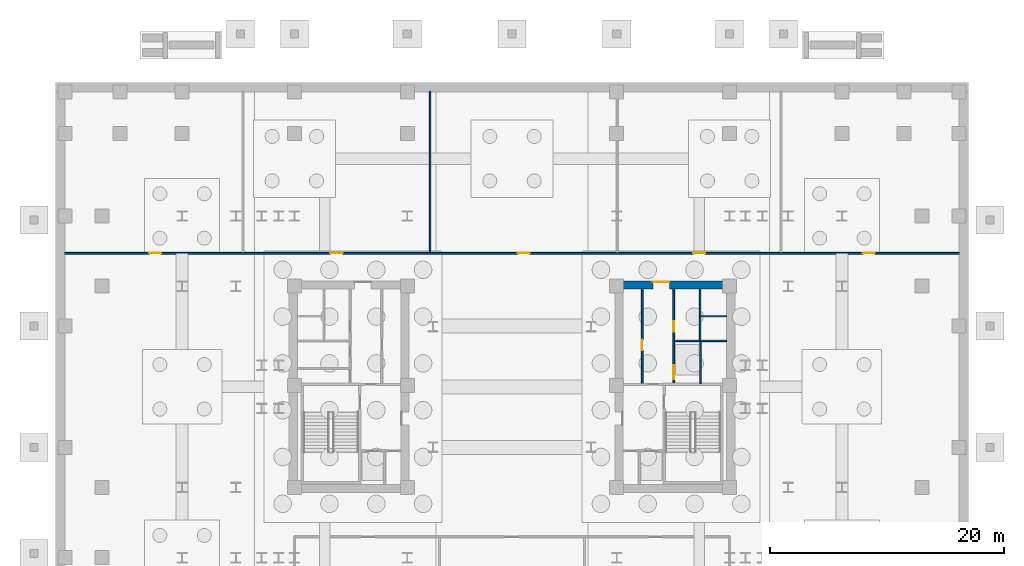
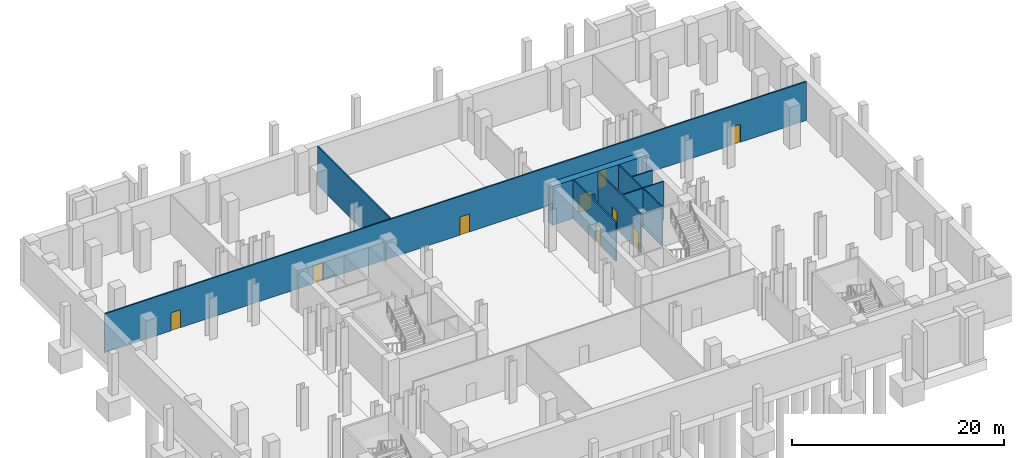
# One storey, part 6 of 10: 9 doors, 9 walls, 9 openings.
"""IFC4 building model written with IfcOpenShell, lengths in metres."""

from ifc_helpers import new_model, si_unit, direction, frame, frame_2d, origin, place, context, subcontext, project, spatial, rectangle, extrude, material, layer, layer_set, type_object, element, fill, save


model = new_model("IFC4")

# Units and contexts
model_context = context("Model", 3, precision=1e-05, world=origin(), true_north=direction((0.0, 1.0)))
body_context = subcontext(model_context, "Body", "Model", "MODEL_VIEW")
ifc_project = project(units=[si_unit("LENGTHUNIT", "METRE"), si_unit("AREAUNIT", "SQUARE_METRE"), si_unit("VOLUMEUNIT", "CUBIC_METRE"), si_unit("PLANEANGLEUNIT", "RADIAN"), si_unit("MASSUNIT", "GRAM", prefix="KILO")], contexts=[model_context])

# Site, building, storey
site_placement = place(None, origin())
site = spatial("IfcSite", under=ifc_project, at=site_placement, CompositionType="ELEMENT")
building_placement = place(site_placement, origin())
building = spatial("IfcBuilding", under=site, at=building_placement, Name="Velakula Bourse", CompositionType="ELEMENT")
storey_placement = place(building_placement, frame((0.0, 0.0, -9.60009765625)))
storey = spatial("IfcBuildingStorey", under=building, at=storey_placement, Name="B02", CompositionType="ELEMENT", Elevation=-9.60009765625)

# Wall, opening, door
ifc_material_1 = material(Name="Concrete M70 (fck 70 MPa)", Category="concrete")
ifc_layer_1 = layer(ifc_material_1, 0.699951171875, Name="Concrete M70 (fck 70 MPa)", Category="concrete")
ifc_layer_set_1 = layer_set([ifc_layer_1], Name="Concrete M70 (fck 70 MPa)")
wall_type_1 = type_object("IfcWallType", Name="WL-CORE-700", PredefinedType="SHEAR", material=ifc_layer_set_1)
wall_1_placement = place(storey_placement, frame((8.800048828125, 8.699951171875, 0.0), z_axis=(0.0, 0.0, 1.0), x_axis=(1.0, 0.0, 0.0)))
wall_1 = element("IfcWall", 1, at=wall_1_placement, inside=storey, type_object=wall_type_1, Name="B02 Core E Shear Wall N", PredefinedType="SHEAR", context=body_context, shape_type="SweptSolid", body=[
    extrude(rectangle(XDim=10.25, YDim=0.699951171875, at=frame_2d((5.125, 0.0))), origin(), (0.0, 0.0, 1.0), 4.5),
])
opening_1_placement = place(wall_1_placement, frame((3.25, 0.0, 0.0)))
opening_1 = element("IfcOpeningElement", 2, at=opening_1_placement, cuts=wall_1, Name="Opening D-LLE", PredefinedType="OPENING", context=body_context, shape_type="SweptSolid", body=[
    extrude(rectangle(XDim=1.39990234375, YDim=2.050048828125, at=frame_2d((0.699951171875, 1.02490234375))), frame((0.0, 0.35986328125, 0.0), z_axis=(0.0, -1.0, 0.0), x_axis=(1.0, 0.0, 0.0)), (0.0, 0.0, 1.0), 0.719970703125),
])
ifc_material_2 = material(Name="Fire-rated hardwood flush architectural door", Category="wood")
door_type_1 = type_object("IfcDoorType", Name="DR-DBL-FD60-1400", OperationType="DOUBLE_DOOR_SINGLE_SWING", PredefinedType="DOOR", material=ifc_material_2)
door_1_placement = place(opening_1_placement, origin())
door_1 = element("IfcDoor", 3, at=door_1_placement, inside=storey, type_object=door_type_1, Name="B02 Core E Lift Lobby Corridor Double Door", OperationType="DOUBLE_DOOR_SINGLE_SWING", OverallHeight=2.050048828125, OverallWidth=1.39990234375, PredefinedType="DOOR", context=body_context, shape_type="SweptSolid", body=[
    extrude(rectangle(XDim=1.39990234375, YDim=2.050048828125, at=frame_2d((0.699951171875, 1.02490234375))), frame((0.0, 0.294921875, 0.0), z_axis=(0.0, -1.0, 0.0), x_axis=(1.0, 0.0, 0.0)), (0.0, 0.0, 1.0), 0.050048828125),
])
fill(opening_1, door_1)

# Walls
ifc_material_3 = material(Name="Fire-rated double-layer gypsum drywall partition", Category="gypsum")
ifc_layer_2 = layer(ifc_material_3, 0.1201171875, Name="Fire-rated double-layer gypsum drywall partition", Category="gypsum")
ifc_layer_set_2 = layer_set([ifc_layer_2], Name="Fire-rated double-layer gypsum drywall partition")
wall_type_2 = type_object("IfcWallType", Name="WL-PART-120", PredefinedType="STANDARD", material=ifc_layer_set_2)
wall_2_placement = place(storey_placement, frame((13.89990234375, 3.919921875, 0.0), z_axis=(0.0, 0.0, 1.0), x_axis=(1.0, 0.0, 0.0)))
element("IfcWall", 4, at=wall_2_placement, inside=storey, type_object=wall_type_2, Name="B02 Interior Partition WL-CRE-B02-HI-S", PredefinedType="STANDARD", context=body_context, shape_type="SweptSolid", body=[
    extrude(rectangle(XDim=4.4501953125, YDim=0.1201171875, at=frame_2d((2.22509765625, 0.0))), origin(), (0.0, 0.0, 1.0), 4.47998046875),
])
wall_3_placement = place(storey_placement, frame((16.14990234375, 6.030029296875, 0.0), z_axis=(0.0, 0.0, 1.0), x_axis=(1.0, 0.0, 0.0)))
element("IfcWall", 5, at=wall_3_placement, inside=storey, type_object=wall_type_2, Name="B02 Interior Partition WL-CRE-B02-RIS-MID", PredefinedType="STANDARD", context=body_context, shape_type="SweptSolid", body=[
    extrude(rectangle(XDim=2.2001953125, YDim=0.1201171875, at=frame_2d((1.10009765625, 0.0))), origin(), (0.0, 0.0, 1.0), 4.47998046875),
])
wall_4_placement = place(storey_placement, frame((16.074951171875, 3.97998046875, 0.0), z_axis=(0.0, 0.0, 1.0), x_axis=(0.0, 1.0, 0.0)))
element("IfcWall", 6, at=wall_4_placement, inside=storey, type_object=wall_type_2, Name="B02 Interior Partition WL-CRE-B02-RIS-F", PredefinedType="STANDARD", context=body_context, shape_type="SweptSolid", body=[
    extrude(rectangle(XDim=4.3701171875, YDim=0.1201171875, at=frame_2d((2.18505859375, 0.0))), origin(), (0.0, 0.0, 1.0), 4.47998046875),
])
wall_5_placement = place(storey_placement, frame((16.125, 0.27001953125, 0.0), z_axis=(0.0, 0.0, 1.0), x_axis=(0.0, 1.0, 0.0)))
element("IfcWall", 7, at=wall_5_placement, inside=storey, type_object=wall_type_2, Name="B02 Interior Partition WL-CRE-B02-SVL-E", PredefinedType="STANDARD", context=body_context, shape_type="SweptSolid", body=[
    extrude(rectangle(XDim=3.590087890625, YDim=0.1201171875, at=frame_2d((1.794921875, 0.0))), origin(), (0.0, 0.0, 1.0), 4.47998046875),
])

# Wall, openings, doors
ifc_layer_3 = layer(ifc_material_3, 0.139892578125, Name="Fire-rated double-layer gypsum drywall partition", Category="gypsum")
ifc_layer_set_3 = layer_set([ifc_layer_3], Name="Fire-rated double-layer gypsum drywall partition")
wall_type_3 = type_object("IfcWallType", Name="WL-PART-140", PredefinedType="STANDARD", material=ifc_layer_set_3)
wall_6_placement = place(storey_placement, frame((-38.239990234375, 11.419921875, 0.0), z_axis=(0.0, 0.0, 1.0), x_axis=(1.0, 0.0, 0.0)))
wall_6 = element("IfcWall", 8, at=wall_6_placement, inside=storey, type_object=wall_type_3, Name="B02 Interior Partition WL-POD-B02-N-CORR", PredefinedType="STANDARD", context=body_context, shape_type="SweptSolid", body=[
    extrude(rectangle(XDim=76.47998046875, YDim=0.14990234375, at=frame_2d((38.239990234375, 0.0))), origin(), (0.0, 0.0, 1.0), 4.47998046875),
])
opening_2_placement = place(wall_6_placement, frame((7.216064453125, 0.0, 0.0)))
opening_2 = element("IfcOpeningElement", 9, at=opening_2_placement, cuts=wall_6, Name="Opening D-PD1", PredefinedType="OPENING", context=body_context, shape_type="SweptSolid", body=[
    extrude(rectangle(XDim=1.050048828125, YDim=2.080078125, at=frame_2d((0.52490234375, 1.0400390625))), frame((0.0, 0.0849609375, 0.0), z_axis=(0.0, -1.0, 0.0), x_axis=(1.0, 0.0, 0.0)), (0.0, 0.0, 1.0), 0.169921875),
])
opening_3_placement = place(wall_6_placement, frame((22.715087890625, 0.0, 0.0)))
opening_3 = element("IfcOpeningElement", 10, at=opening_3_placement, cuts=wall_6, Name="Opening D-PD1", PredefinedType="OPENING", context=body_context, shape_type="SweptSolid", body=[
    extrude(rectangle(XDim=1.050048828125, YDim=2.080078125, at=frame_2d((0.52490234375, 1.0400390625))), frame((0.0, 0.0849609375, 0.0), z_axis=(0.0, -1.0, 0.0), x_axis=(1.0, 0.0, 0.0)), (0.0, 0.0, 1.0), 0.169921875),
])
opening_4_placement = place(wall_6_placement, frame((38.715087890625, 0.0, 0.0)))
opening_4 = element("IfcOpeningElement", 11, at=opening_4_placement, cuts=wall_6, Name="Opening D-PD1", PredefinedType="OPENING", context=body_context, shape_type="SweptSolid", body=[
    extrude(rectangle(XDim=1.050048828125, YDim=2.080078125, at=frame_2d((0.52490234375, 1.0400390625))), frame((0.0, 0.0849609375, 0.0), z_axis=(0.0, -1.0, 0.0), x_axis=(1.0, 0.0, 0.0)), (0.0, 0.0, 1.0), 0.169921875),
])
opening_5_placement = place(wall_6_placement, frame((53.715087890625, 0.0, 0.0)))
opening_5 = element("IfcOpeningElement", 12, at=opening_5_placement, cuts=wall_6, Name="Opening D-PD1", PredefinedType="OPENING", context=body_context, shape_type="SweptSolid", body=[
    extrude(rectangle(XDim=1.050048828125, YDim=2.080078125, at=frame_2d((0.52490234375, 1.0400390625))), frame((0.0, 0.0849609375, 0.0), z_axis=(0.0, -1.0, 0.0), x_axis=(1.0, 0.0, 0.0)), (0.0, 0.0, 1.0), 0.169921875),
])
opening_6_placement = place(wall_6_placement, frame((68.214111328125, 0.0, 0.0)))
opening_6 = element("IfcOpeningElement", 13, at=opening_6_placement, cuts=wall_6, Name="Opening D-PD1", PredefinedType="OPENING", context=body_context, shape_type="SweptSolid", body=[
    extrude(rectangle(XDim=1.050048828125, YDim=2.080078125, at=frame_2d((0.52490234375, 1.0400390625))), frame((0.0, 0.0849609375, 0.0), z_axis=(0.0, -1.0, 0.0), x_axis=(1.0, 0.0, 0.0)), (0.0, 0.0, 1.0), 0.169921875),
])
door_type_2 = type_object("IfcDoorType", Name="DR-OFF-1050", OperationType="NOTDEFINED", PredefinedType="DOOR", material=ifc_material_2)
door_2_placement = place(opening_2_placement, origin())
door_2 = element("IfcDoor", 14, at=door_2_placement, inside=storey, type_object=door_type_2, Name="B02 Central Chiller Plant Room Door", OperationType="SINGLE_SWING_LEFT", OverallHeight=2.080078125, OverallWidth=1.050048828125, PredefinedType="DOOR", context=body_context, shape_type="SweptSolid", body=[
    extrude(rectangle(XDim=1.050048828125, YDim=2.080078125, at=frame_2d((0.52490234375, 1.0400390625))), frame((0.0, 0.02490234375, 0.0), z_axis=(0.0, -1.0, 0.0), x_axis=(1.0, 0.0, 0.0)), (0.0, 0.0, 1.0), 0.050048828125),
])
fill(opening_2, door_2)
door_3_placement = place(opening_3_placement, origin())
door_3 = element("IfcDoor", 15, at=door_3_placement, inside=storey, type_object=door_type_2, Name="B02 HV 33kV Electrical Substation Door", OperationType="SINGLE_SWING_RIGHT", OverallHeight=2.080078125, OverallWidth=1.050048828125, PredefinedType="DOOR", context=body_context, shape_type="SweptSolid", body=[
    extrude(rectangle(XDim=1.050048828125, YDim=2.080078125, at=frame_2d((0.52490234375, 1.0400390625))), frame((0.0, 0.02490234375, 0.0), z_axis=(0.0, -1.0, 0.0), x_axis=(1.0, 0.0, 0.0)), (0.0, 0.0, 1.0), 0.050048828125),
])
fill(opening_3, door_3)
door_4_placement = place(opening_4_placement, origin())
door_4 = element("IfcDoor", 16, at=door_4_placement, inside=storey, type_object=door_type_2, Name="B02 Fire and Domestic Water Tank Room Door", OperationType="SINGLE_SWING_LEFT", OverallHeight=2.080078125, OverallWidth=1.050048828125, PredefinedType="DOOR", context=body_context, shape_type="SweptSolid", body=[
    extrude(rectangle(XDim=1.050048828125, YDim=2.080078125, at=frame_2d((0.52490234375, 1.0400390625))), frame((0.0, 0.02490234375, 0.0), z_axis=(0.0, -1.0, 0.0), x_axis=(1.0, 0.0, 0.0)), (0.0, 0.0, 1.0), 0.050048828125),
])
fill(opening_4, door_4)
door_5_placement = place(opening_5_placement, origin())
door_5 = element("IfcDoor", 17, at=door_5_placement, inside=storey, type_object=door_type_2, Name="B02 Primary Chilled-Water Pump Room Door", OperationType="SINGLE_SWING_RIGHT", OverallHeight=2.080078125, OverallWidth=1.050048828125, PredefinedType="DOOR", context=body_context, shape_type="SweptSolid", body=[
    extrude(rectangle(XDim=1.050048828125, YDim=2.080078125, at=frame_2d((0.52490234375, 1.0400390625))), frame((0.0, 0.02490234375, 0.0), z_axis=(0.0, -1.0, 0.0), x_axis=(1.0, 0.0, 0.0)), (0.0, 0.0, 1.0), 0.050048828125),
])
fill(opening_5, door_5)
door_6_placement = place(opening_6_placement, origin())
door_6 = element("IfcDoor", 18, at=door_6_placement, inside=storey, type_object=door_type_2, Name="B02 Emergency Generator Plant Room Door", OperationType="SINGLE_SWING_LEFT", OverallHeight=2.080078125, OverallWidth=1.050048828125, PredefinedType="DOOR", context=body_context, shape_type="SweptSolid", body=[
    extrude(rectangle(XDim=1.050048828125, YDim=2.080078125, at=frame_2d((0.52490234375, 1.0400390625))), frame((0.0, 0.02490234375, 0.0), z_axis=(0.0, -1.0, 0.0), x_axis=(1.0, 0.0, 0.0)), (0.0, 0.0, 1.0), 0.050048828125),
])
fill(opening_6, door_6)

# Wall
wall_7_placement = place(storey_placement, frame((-7.0, 11.489990234375, 0.0), z_axis=(0.0, 0.0, 1.0), x_axis=(0.0, 1.0, 0.0)))
element("IfcWall", 19, at=wall_7_placement, inside=storey, type_object=wall_type_3, Name="B02 Interior Partition WL-POD-B02-ND2", PredefinedType="STANDARD", context=body_context, shape_type="SweptSolid", body=[
    extrude(rectangle(XDim=13.75, YDim=0.139892578125, at=frame_2d((6.875, 0.0))), origin(), (0.0, 0.0, 1.0), 4.47998046875),
])

# Wall, opening, door
ifc_material_4 = material(Name="Autoclaved aerated concrete blockwork masonry", Category="masonry")
ifc_layer_4 = layer(ifc_material_4, 0.14990234375, Name="Autoclaved aerated concrete blockwork masonry", Category="masonry")
ifc_layer_set_4 = layer_set([ifc_layer_4], Name="Autoclaved aerated concrete blockwork masonry")
wall_type_4 = type_object("IfcWallType", Name="WL-SHAFT-150", PredefinedType="STANDARD", material=ifc_layer_set_4)
wall_8_placement = place(storey_placement, frame((11.125, 0.27001953125, 0.0), z_axis=(0.0, 0.0, 1.0), x_axis=(0.0, 1.0, 0.0)))
wall_8 = element("IfcWall", 20, at=wall_8_placement, inside=storey, type_object=wall_type_4, Name="B02 Interior Partition WL-CRE-B02-BANK-F", PredefinedType="STANDARD", context=body_context, shape_type="SweptSolid", body=[
    extrude(rectangle(XDim=8.080078125, YDim=0.14990234375, at=frame_2d((4.0400390625, 0.0))), origin(), (0.0, 0.0, 1.0), 4.47998046875),
])
opening_7_placement = place(wall_8_placement, frame((2.85009765625, 0.0, 0.0)))
opening_7 = element("IfcOpeningElement", 21, at=opening_7_placement, cuts=wall_8, Name="Opening D-CR1", PredefinedType="OPENING", context=body_context, shape_type="SweptSolid", body=[
    extrude(rectangle(XDim=0.89990234375, YDim=2.050048828125, at=frame_2d((0.449951171875, 1.02490234375))), frame((0.0, 0.0849609375, 0.0), z_axis=(0.0, -1.0, 0.0), x_axis=(1.0, 0.0, 0.0)), (0.0, 0.0, 1.0), 0.169921875),
])
door_type_3 = type_object("IfcDoorType", Name="DR-FD60-900", OperationType="NOTDEFINED", PredefinedType="DOOR", material=ifc_material_2)
door_7_placement = place(opening_7_placement, origin())
door_7 = element("IfcDoor", 22, at=door_7_placement, inside=storey, type_object=door_type_3, Name="B02 Core East Buffer Room Door", OperationType="SINGLE_SWING_RIGHT", OverallHeight=2.050048828125, OverallWidth=0.89990234375, PredefinedType="DOOR", context=body_context, shape_type="SweptSolid", body=[
    extrude(rectangle(XDim=0.89990234375, YDim=2.050048828125, at=frame_2d((0.449951171875, 1.02490234375))), frame((0.0, 0.02490234375, 0.0), z_axis=(0.0, -1.0, 0.0), x_axis=(1.0, 0.0, 0.0)), (0.0, 0.0, 1.0), 0.050048828125),
])
fill(opening_7, door_7)

# Wall, openings, doors
wall_9_placement = place(storey_placement, frame((13.824951171875, 0.27001953125, 0.0), z_axis=(0.0, 0.0, 1.0), x_axis=(0.0, 1.0, 0.0)))
wall_9 = element("IfcWall", 23, at=wall_9_placement, inside=storey, type_object=wall_type_4, Name="B02 Interior Partition WL-CRE-B02-OUT-F", PredefinedType="STANDARD", context=body_context, shape_type="SweptSolid", body=[
    extrude(rectangle(XDim=8.080078125, YDim=0.14990234375, at=frame_2d((4.0400390625, 0.0))), origin(), (0.0, 0.0, 1.0), 4.47998046875),
])
opening_8_placement = place(wall_9_placement, frame((4.449951171875, 0.0, 0.0)))
opening_8 = element("IfcOpeningElement", 24, at=opening_8_placement, cuts=wall_9, Name="Opening D-CR2", PredefinedType="OPENING", context=body_context, shape_type="SweptSolid", body=[
    extrude(rectangle(XDim=0.89990234375, YDim=2.050048828125, at=frame_2d((0.449951171875, 1.02490234375))), frame((0.0, 0.0849609375, 0.0), z_axis=(0.0, -1.0, 0.0), x_axis=(1.0, 0.0, 0.0)), (0.0, 0.0, 1.0), 0.169921875),
])
opening_9_placement = place(wall_9_placement, frame((0.3798828125, 0.0, 0.0)))
opening_9 = element("IfcOpeningElement", 25, at=opening_9_placement, cuts=wall_9, Name="Opening LD-SVL1", PredefinedType="OPENING", context=body_context, shape_type="SweptSolid", body=[
    extrude(rectangle(XDim=1.199951171875, YDim=2.10009765625, at=frame_2d((0.60009765625, 1.050048828125))), frame((0.0, 0.0849609375, 0.0), z_axis=(0.0, -1.0, 0.0), x_axis=(1.0, 0.0, 0.0)), (0.0, 0.0, 1.0), 0.169921875),
])
door_8_placement = place(opening_8_placement, origin())
door_8 = element("IfcDoor", 26, at=door_8_placement, inside=storey, type_object=door_type_3, Name="B02 High-Rise Buffer Room Door", OperationType="SINGLE_SWING_LEFT", OverallHeight=2.050048828125, OverallWidth=0.89990234375, PredefinedType="DOOR", context=body_context, shape_type="SweptSolid", body=[
    extrude(rectangle(XDim=0.89990234375, YDim=2.050048828125, at=frame_2d((0.449951171875, 1.02490234375))), frame((0.0, 0.02490234375, 0.0), z_axis=(0.0, -1.0, 0.0), x_axis=(1.0, 0.0, 0.0)), (0.0, 0.0, 1.0), 0.050048828125),
])
fill(opening_8, door_8)
ifc_material_5 = material(Name="Brushed grade 316 stainless steel", Category="steel")
door_type_4 = type_object("IfcDoorType", Name="DR-SLIDE-LD-1200", OperationType="DOUBLE_DOOR_SLIDING", PredefinedType="DOOR", material=ifc_material_5)
door_9_placement = place(opening_9_placement, origin())
door_9 = element("IfcDoor", 27, at=door_9_placement, inside=storey, type_object=door_type_4, Name="B02 Service Lift SVL-1 Sliding Landing Door", OperationType="DOUBLE_DOOR_SLIDING", OverallHeight=2.10009765625, OverallWidth=1.199951171875, PredefinedType="DOOR", context=body_context, shape_type="SweptSolid", body=[
    extrude(rectangle(XDim=1.199951171875, YDim=2.10009765625, at=frame_2d((0.60009765625, 1.050048828125))), frame((0.0, 0.02490234375, 0.0), z_axis=(0.0, -1.0, 0.0), x_axis=(1.0, 0.0, 0.0)), (0.0, 0.0, 1.0), 0.050048828125),
])
fill(opening_9, door_9)

save(model, "model.ifc")
